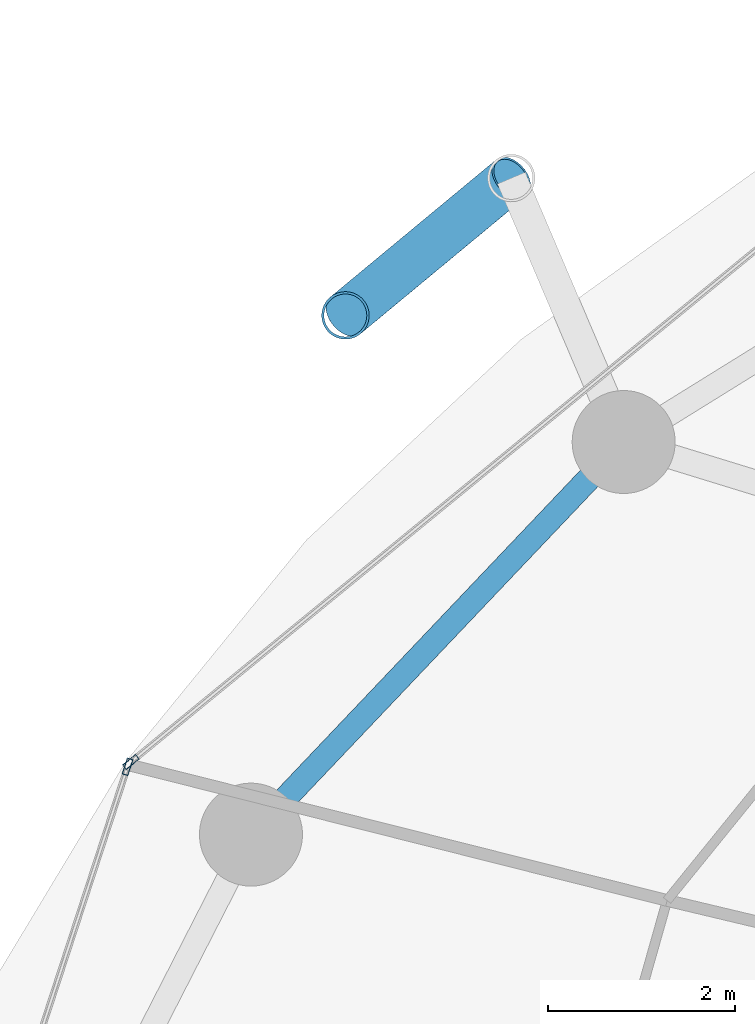
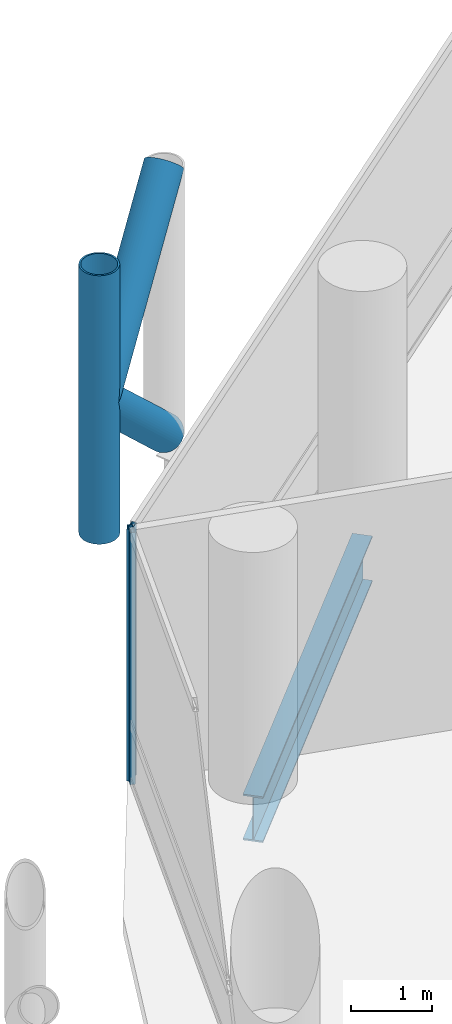
# One storey, part 13 of 24: 5 members, 1 beam, 2 elements without a shape of their own.
"""IFC4 building model written with IfcOpenShell, lengths in metres."""

import ifcopenshell
import ifcopenshell.guid

model = None  # the IFC model being written
_history = None  # IfcOwnerHistory: only IFC2X3 demands one
_inside = {}  # id of a spatial element -> (the spatial element, [elements in it])
_under = {}  # id of a project, library or spatial element -> (it, [spatial elements below it])
_declared = {}  # id of a project -> (the project, [libraries it declares])
_typed = {}  # id of a type object -> (the type object, [elements of that type])
_made_of = {}  # id of a material, layer set ... -> (it, [elements and type objects made of it])


def new_model(schema):
    """Start an empty IFC model of exactly this schema.

    Asked for "IFC4X3", IfcOpenShell would pick the latest addendum, in which some entities
    have other attributes; the version numbers below select the first issue.
    IFC2X3 requires an IfcOwnerHistory on every rooted entity: one is made here for all.
    """
    global model, _history
    if schema == "IFC4X3":
        model = ifcopenshell.file(schema_version=(4, 3, 0, 0))
    else:
        model = ifcopenshell.file(schema=schema)
    _inside.clear()
    _under.clear()
    _declared.clear()
    _typed.clear()
    _made_of.clear()
    _history = None
    if model.schema == "IFC2X3":
        org = make("IfcOrganization", Name="unknown")
        user = make(
            "IfcPersonAndOrganization",
            ThePerson=make("IfcPerson", FamilyName="unknown"),
            TheOrganization=org,
        )
        app = make(
            "IfcApplication",
            ApplicationDeveloper=org,
            Version="unknown",
            ApplicationFullName="unknown",
            ApplicationIdentifier="unknown",
        )
        _history = make(
            "IfcOwnerHistory",
            OwningUser=user,
            OwningApplication=app,
            ChangeAction="ADDED",
            CreationDate=0,
        )
    return model


def make(cls, **values):
    """One entity of the class cls with the attributes given. An attribute that is None is left unset."""
    return model.create_entity(
        cls, **{name: value for name, value in values.items() if value is not None}
    )


def rooted(cls, **values):
    """An entity with a GlobalId (a new one), such as an element, a storey or a relation."""
    return make(cls, GlobalId=ifcopenshell.guid.new(), OwnerHistory=_history, **values)


def si_unit(unit_type, name, prefix=None):
    """IfcSIUnit, for example si_unit("LENGTHUNIT", "METRE", prefix="MILLI")."""
    return make("IfcSIUnit", UnitType=unit_type, Prefix=prefix, Name=name)


def assignment(units):
    """IfcUnitAssignment: the units of a project."""
    return None if units is None else make("IfcUnitAssignment", Units=units)


def point(xyz):
    """IfcCartesianPoint."""
    return None if xyz is None else make("IfcCartesianPoint", Coordinates=xyz)


def direction(xyz):
    """IfcDirection."""
    return None if xyz is None else make("IfcDirection", DirectionRatios=xyz)


def frame(location, z_axis=None, x_axis=None):
    """IfcAxis2Placement3D, a coordinate frame: its origin and axes. An axis left out is left unset."""
    return make(
        "IfcAxis2Placement3D",
        Location=point(location),
        Axis=direction(z_axis),
        RefDirection=direction(x_axis),
    )


def frame_2d(location, x_axis=None):
    """IfcAxis2Placement2D, a coordinate frame in the plane: its origin and x axis."""
    return make(
        "IfcAxis2Placement2D", Location=point(location), RefDirection=direction(x_axis)
    )


def origin():
    """The frame at (0, 0, 0) with its axes left unset."""
    return frame((0.0, 0.0, 0.0))


def origin_2d():
    """The frame at (0, 0) in the plane with its x axis left unset."""
    return frame_2d((0.0, 0.0))


def place(relative_to, where):
    """IfcLocalPlacement: puts the frame where relative to a parent placement (None: the world)."""
    return make(
        "IfcLocalPlacement", PlacementRelTo=relative_to, RelativePlacement=where
    )


def context(
    kind, dimensions, precision=None, world=None, true_north=None, identifier=None
):
    """IfcGeometricRepresentationContext, for example the 3D "Model" context."""
    return make(
        "IfcGeometricRepresentationContext",
        ContextIdentifier=identifier,
        ContextType=kind,
        CoordinateSpaceDimension=dimensions,
        Precision=precision,
        WorldCoordinateSystem=world,
        TrueNorth=true_north,
    )


def subcontext(parent, identifier, kind, view, scale=None):
    """IfcGeometricRepresentationSubContext, for example "Body" below "Model"."""
    return make(
        "IfcGeometricRepresentationSubContext",
        ContextIdentifier=identifier,
        ContextType=kind,
        ParentContext=parent,
        TargetScale=scale,
        TargetView=view,
    )


def project(units=None, contexts=None):
    """IfcProject with its units and contexts."""
    return rooted(
        "IfcProject",
        Name="project",
        RepresentationContexts=contexts,
        UnitsInContext=assignment(units),
    )


def spatial(cls, under=None, at=None, **own):
    """A site, building, storey or space (cls), placed at a placement, below another one or the project."""
    s = rooted(cls, ObjectPlacement=at, **own)
    if under is not None:
        _under.setdefault(under.id(), (under, []))[1].append(s)
    return s


def profile(cls, at=None, kind="AREA", **sizes):
    """A parametric profile (cls). Its sizes go by their IFC names, for example OverallWidth=200.0."""
    return make(cls, ProfileType=kind, Position=at, **sizes)


def hollow_rectangle(**sizes):
    """IfcRectangleHollowProfileDef."""
    return profile("IfcRectangleHollowProfileDef", **sizes)


def hollow_circle(**sizes):
    """IfcCircleHollowProfileDef."""
    return profile("IfcCircleHollowProfileDef", **sizes)


def i_section(**sizes):
    """IfcIShapeProfileDef."""
    return profile("IfcIShapeProfileDef", **sizes)


def extrude(swept, where, along, depth):
    """IfcExtrudedAreaSolid: the profile swept, set in the frame where, extruded along a direction by depth."""
    return make(
        "IfcExtrudedAreaSolid",
        SweptArea=swept,
        Position=where,
        ExtrudedDirection=direction(along),
        Depth=depth,
    )


def shape(context_of_items, identifier, shape_type, items):
    """IfcShapeRepresentation: the items that make up one representation, for example the "Body"."""
    return make(
        "IfcShapeRepresentation",
        ContextOfItems=context_of_items,
        RepresentationIdentifier=identifier,
        RepresentationType=shape_type,
        Items=items,
    )


def material(Name=None, Category=None):
    """IfcMaterial."""
    return make("IfcMaterial", Name=Name, Category=Category)


def layer(
    of_material, thickness, ventilated=None, Name=None, Category=None, Priority=None
):
    """IfcMaterialLayer: one layer of a wall or slab, of a material (None: an air gap)."""
    return make(
        "IfcMaterialLayer",
        Material=of_material,
        LayerThickness=thickness,
        IsVentilated=ventilated,
        Name=Name,
        Category=Category,
        Priority=Priority,
    )


def layer_set(layers, Name=None):
    """IfcMaterialLayerSet."""
    return make("IfcMaterialLayerSet", MaterialLayers=layers, LayerSetName=Name)


def material_profile(
    of_material, cross_section, Name=None, Category=None, Priority=None
):
    """IfcMaterialProfile: a cross section and its material."""
    return make(
        "IfcMaterialProfile",
        Name=Name,
        Material=of_material,
        Profile=cross_section,
        Priority=Priority,
        Category=Category,
    )


def profile_set(profiles, Name=None, composite=None):
    """IfcMaterialProfileSet."""
    return make(
        "IfcMaterialProfileSet",
        Name=Name,
        MaterialProfiles=profiles,
        CompositeProfile=composite,
    )


def made_of(thing, what):
    """Note that an element or type object is made of a material, layer set ...; save() writes the relation."""
    if what is not None:
        _made_of.setdefault(what.id(), (what, []))[1].append(thing)
    return thing


def type_object(cls, material=None, **own):
    """A type object (cls), such as IfcWallType, which elements share."""
    return made_of(rooted(cls, **own), material)


def element(
    cls,
    number,
    at=None,
    inside=None,
    cuts=None,
    type_object=None,
    material=None,
    context=None,
    identifier="Body",
    shape_type=None,
    held_by="IfcProductDefinitionShape",
    body=None,
    shapes=None,
    **own,
):
    """One element of the class cls, such as IfcWall. Its Tag is "e" and its number.

    at: its placement. inside: the storey or other place that contains it. cuts: it is an
    opening in that element (IfcRelVoidsElement). A single representation is given by context,
    identifier, shape_type and body (its items); several are given by shapes. held_by: the class
    of the entity that holds the representations. save() writes the other relations.
    """
    e = rooted(cls, Tag="e%d" % number, ObjectPlacement=at, **own)
    if body is not None:
        shapes = [shape(context, identifier, shape_type, body)]
    if shapes is not None:
        e.Representation = make(held_by, Representations=shapes)
    if inside is not None:
        _inside.setdefault(inside.id(), (inside, []))[1].append(e)
    if cuts is not None:
        rooted(
            "IfcRelVoidsElement", RelatingBuildingElement=cuts, RelatedOpeningElement=e
        )
    if type_object is not None:
        _typed.setdefault(type_object.id(), (type_object, []))[1].append(e)
    return made_of(e, material)


def aggregate(whole, parts):
    """IfcRelAggregates: a whole, such as a stair, and the parts it consists of."""
    return rooted("IfcRelAggregates", RelatingObject=whole, RelatedObjects=parts)


def save(model, path):
    """Write the relations noted so far, then the file.

    IfcRelAggregates (storeys below a building ...), IfcRelContainedInSpatialStructure (elements
    in a storey), IfcRelDefinesByType, IfcRelAssociatesMaterial and IfcRelDeclares: one each for
    every whole, place, type object, material and project.
    """
    for whole, parts in _under.values():
        aggregate(whole, parts)
    for where, things in _inside.values():
        rooted(
            "IfcRelContainedInSpatialStructure",
            RelatedElements=things,
            RelatingStructure=where,
        )
    for kind, things in _typed.values():
        rooted("IfcRelDefinesByType", RelatedObjects=things, RelatingType=kind)
    for what, things in _made_of.values():
        rooted("IfcRelAssociatesMaterial", RelatedObjects=things, RelatingMaterial=what)
    for by, libraries in _declared.values():
        rooted("IfcRelDeclares", RelatingContext=by, RelatedDefinitions=libraries)
    model.write(path)


model = new_model("IFC4")

# Units and contexts
model_context = context("Model", 3, precision=1e-05, world=origin(), true_north=direction((0.0, 1.0)))
body_context = subcontext(model_context, "Body", "Model", "MODEL_VIEW")
ifc_project = project(units=[si_unit("LENGTHUNIT", "METRE"), si_unit("AREAUNIT", "SQUARE_METRE"), si_unit("VOLUMEUNIT", "CUBIC_METRE"), si_unit("PLANEANGLEUNIT", "RADIAN"), si_unit("MASSUNIT", "GRAM", prefix="KILO")], contexts=[model_context])

# Site, building, storey
site_placement = place(None, origin())
site = spatial("IfcSite", under=ifc_project, at=site_placement, CompositionType="ELEMENT")
building_placement = place(site_placement, origin())
building = spatial("IfcBuilding", under=site, at=building_placement, Name="Nuhasar Tower", CompositionType="ELEMENT")
storey_placement = place(building_placement, frame((0.0, 0.0, 81.75)))
storey = spatial("IfcBuildingStorey", under=building, at=storey_placement, Name="L19", CompositionType="ELEMENT", Elevation=81.75)

# Beam
ifc_material_1 = material(Name="Steel S355", Category="steel")
ifc_material_profile_1 = material_profile(ifc_material_1, i_section(OverallWidth=0.256103515625, OverallDepth=0.693115234375, WebThickness=0.014404296875, FlangeThickness=0.023681640625, at=origin_2d()), Name="W27X114")
ifc_profile_set_1 = profile_set([ifc_material_profile_1], Name="Steel S355")
beam_type = type_object("IfcBeamType", Name="BM-RING-W27X114", PredefinedType="SPANDREL", material=ifc_profile_set_1)
beam_placement = place(storey_placement, frame((21.287109375, 41.118896484375, -0.596923828125), z_axis=(-0.688480893507, -0.725254478976, 0.0), x_axis=(0.725254478976, -0.688480893507, 0.0)))
element("IfcBeam", 1, at=beam_placement, inside=storey, type_object=beam_type, Name="L19 Perimeter Ring Spandrel 10", PredefinedType="SPANDREL", context=body_context, shape_type="SweptSolid", body=[
    extrude(i_section(OverallWidth=0.256103515625, OverallDepth=0.693115234375, WebThickness=0.014404296875, FlangeThickness=0.023681640625, at=origin_2d()), origin(), (0.0, 0.0, 1.0), 5.782470703125),
])

# Curtain wall, member
ifc_material_2 = material(Name="Aluminium 6063-T6", Category="aluminium")
ifc_layer = layer(ifc_material_2, 0.199951171875)
ifc_layer_set = layer_set([ifc_layer], Name="Aluminium 6063-T6")
curtain_wall_type = type_object("IfcCurtainWallType", Name="CW-Z1-OFF", PredefinedType="NOTDEFINED", material=ifc_layer_set)
curtain_wall_1_placement = place(storey_placement, origin())
curtain_wall_1 = element("IfcCurtainWall", 2, at=curtain_wall_1_placement, inside=storey, type_object=curtain_wall_type, Name="L19 Unitised Curtain Wall 05", PredefinedType="NOTDEFINED")
ifc_material_profile_2 = material_profile(ifc_material_2, hollow_rectangle(XDim=0.06494140625, YDim=0.179931640625, WallThickness=0.0048828125, at=origin_2d()), Name="CWM-2")
ifc_profile_set_2 = profile_set([ifc_material_profile_2], Name="Aluminium 6063-T6")
member_type_1 = type_object("IfcMemberType", Name="CW-MUL-S2", PredefinedType="MULLION", material=ifc_profile_set_2)
member_1_placement = place(storey_placement, frame((16.023193359375, 37.70068359375, 0.0), z_axis=(0.0, 0.0, 1.0), x_axis=(0.633744593376, -0.773542364946, 0.0)))
member_1 = element("IfcMember", 3, at=member_1_placement, type_object=member_type_1, Name="CW-Z1 mullion 2", PredefinedType="MULLION", context=body_context, shape_type="SweptSolid", body=[
    extrude(hollow_rectangle(XDim=0.06494140625, YDim=0.179931640625, WallThickness=0.0048828125, at=origin_2d()), origin(), (0.0, 0.0, 1.0), 3.800048828125),
])
aggregate(curtain_wall_1, [member_1])

curtain_wall_2_placement = place(storey_placement, origin())
curtain_wall_2 = element("IfcCurtainWall", 4, at=curtain_wall_2_placement, inside=storey, type_object=curtain_wall_type, Name="L19 Unitised Curtain Wall 06", PredefinedType="NOTDEFINED")
member_2_placement = place(storey_placement, frame((15.98779296875, 37.649169921875, 0.0), z_axis=(0.0, 0.0, 1.0), x_axis=(0.950467534571, -0.310823849997, 0.0)))
member_2 = element("IfcMember", 5, at=member_2_placement, type_object=member_type_1, Name="CW-Z1 mullion 1", PredefinedType="MULLION", context=body_context, shape_type="SweptSolid", body=[
    extrude(hollow_rectangle(XDim=0.06494140625, YDim=0.179931640625, WallThickness=0.0048828125, at=origin_2d()), origin(), (0.0, 0.0, 1.0), 3.800048828125),
])
aggregate(curtain_wall_2, [member_2])

# Members
ifc_material_3 = material(Name="Steel S460", Category="steel")
ifc_material_profile_3 = material_profile(ifc_material_3, hollow_circle(Radius=0.25390625, WallThickness=0.025390625, at=origin_2d()), Name="HSS508X25.4")
ifc_profile_set_3 = profile_set([ifc_material_profile_3], Name="Steel S460")
member_type_2 = type_object("IfcMemberType", Name="EXO-BRONZE-508", PredefinedType="BRACE", material=ifc_profile_set_3)
member_3_placement = place(storey_placement, frame((18.31494140625, 42.470947265625, 0.0), z_axis=(0.0, 0.0, 1.0), x_axis=(1.0, 0.0, 0.0)))
element("IfcMember", 6, at=member_3_placement, inside=storey, type_object=member_type_2, Name="L19 Exoskeleton Chord Column EC-05B", PredefinedType="BRACE", context=body_context, shape_type="SweptSolid", body=[
    extrude(hollow_circle(Radius=0.25390625, WallThickness=0.025390625, at=origin_2d()), origin(), (0.0, 0.0, 1.0), 4.050048828125),
])
member_4_placement = place(storey_placement, frame((20.0869140625, 43.93896484375, 0.0), z_axis=(-0.578101613167, -0.478937034992, 0.660619286251), x_axis=(0.637969333506, -0.770061769929, 0.0)))
element("IfcMember", 7, at=member_4_placement, inside=storey, type_object=member_type_2, Name="L19 Bronze Diagrid Brace W1-05", PredefinedType="BRACE", context=body_context, shape_type="SweptSolid", body=[
    extrude(hollow_circle(Radius=0.25390625, WallThickness=0.025390625, at=origin_2d()), origin(), (0.0, 0.0, 1.0), 3.065185546875),
])
member_5_placement = place(storey_placement, frame((18.31494140625, 42.470947265625, 2.02490234375), z_axis=(0.578071194894, 0.478911834514, 0.660664172175), x_axis=(-0.637969333506, 0.770061769929, 0.0)))
element("IfcMember", 8, at=member_5_placement, inside=storey, type_object=member_type_2, Name="L19 Bronze Diagrid Brace W2-05", PredefinedType="BRACE", context=body_context, shape_type="SweptSolid", body=[
    extrude(hollow_circle(Radius=0.25390625, WallThickness=0.025390625, at=origin_2d()), origin(), (0.0, 0.0, 1.0), 3.0654296875),
])

save(model, "model.ifc")
